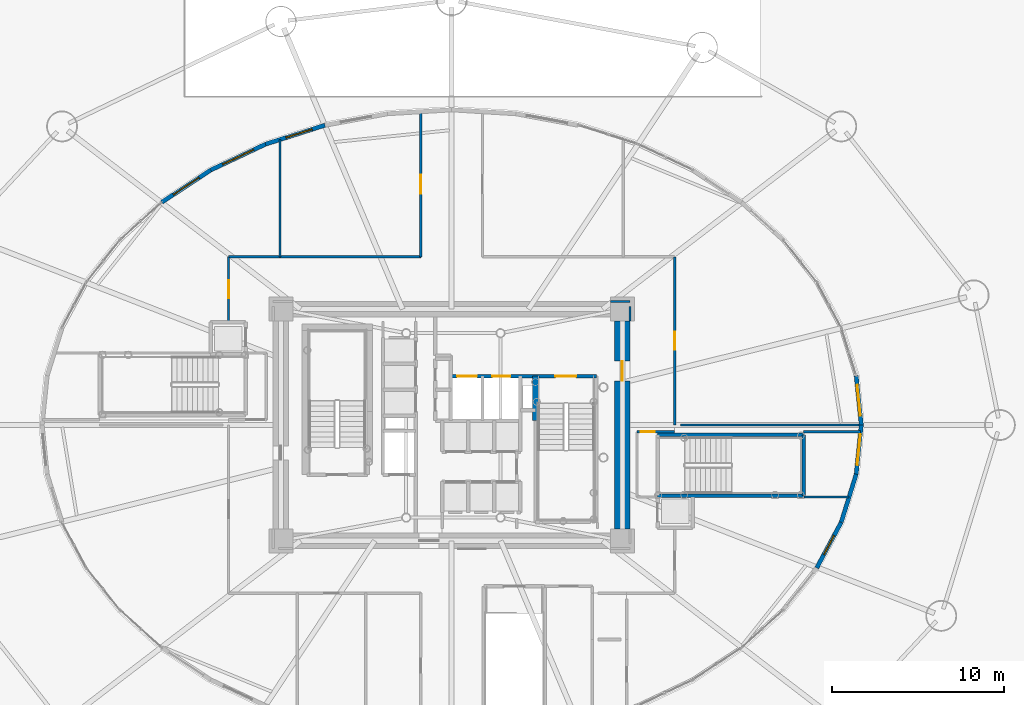
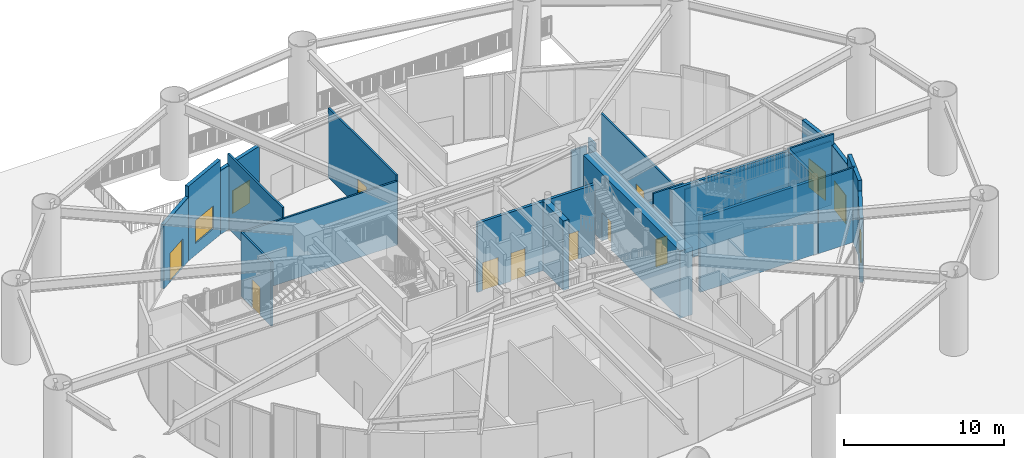
# One storey, part 32 of 46: 24 walls, 11 doors, 3 windows, 14 openings.
"""IFC4 building model written with IfcOpenShell, lengths in metres."""

from ifc_helpers import new_model, si_unit, direction, frame, frame_2d, origin, origin_2d, place, context, subcontext, project, spatial, rectangle, extrude, source, transform, mapped, material, layer, layer_set, type_object, element, fill, save


model = new_model("IFC4")

# Units and contexts
model_context = context("Model", 3, precision=1e-05, world=origin(), true_north=direction((0.0, 1.0)))
body_context = subcontext(model_context, "Body", "Model", "MODEL_VIEW")
ifc_project = project(units=[si_unit("LENGTHUNIT", "METRE"), si_unit("AREAUNIT", "SQUARE_METRE"), si_unit("VOLUMEUNIT", "CUBIC_METRE"), si_unit("PLANEANGLEUNIT", "RADIAN"), si_unit("MASSUNIT", "GRAM", prefix="KILO")], contexts=[model_context])

# Site, building, storey
site_placement = place(None, origin())
site = spatial("IfcSite", under=ifc_project, at=site_placement, CompositionType="ELEMENT")
building_placement = place(site_placement, origin())
building = spatial("IfcBuilding", under=site, at=building_placement, Name="Linh Dai School and Residence Tower", CompositionType="ELEMENT")
storey_placement = place(building_placement, origin())
storey = spatial("IfcBuildingStorey", under=building, at=storey_placement, Name="L00", CompositionType="ELEMENT", Elevation=0.0)

# Wall, opening, door
ifc_material_1 = material(Name="Precast Concrete B45 (C35/45)", Category="concrete")
ifc_layer_1 = layer(ifc_material_1, 0.25)
ifc_layer_set_1 = layer_set([ifc_layer_1], Name="Precast Concrete B45 (C35/45)")
wall_type_1 = type_object("IfcWallType", Name="EW-TC-250", PredefinedType="SOLIDWALL", material=ifc_layer_set_1)
wall_1_placement = place(storey_placement, frame((59.58203125, 29.868896484375, 0.0), z_axis=(0.0, 0.0, 1.0), x_axis=(0.10159063445, -0.994826287847, 0.0)))
wall_1 = element("IfcWall", 1, at=wall_1_placement, inside=storey, type_object=wall_type_1, Name="L00 Terracotta Exterior Wall 01", PredefinedType="SOLIDWALL", context=body_context, shape_type="SweptSolid", body=[
    extrude(rectangle(XDim=2.8837890625, YDim=0.25, at=frame_2d((1.44189453125, 0.0))), origin(), (0.0, 0.0, 1.0), 4.885009765625),
])
opening_1_placement = place(wall_1_placement, frame((0.5419921875, 0.0, 0.0)))
opening_1 = element("IfcOpeningElement", 2, at=opening_1_placement, cuts=wall_1, Name="Opening ED-01", PredefinedType="OPENING", context=body_context, shape_type="SweptSolid", body=[
    extrude(rectangle(XDim=1.800048828125, YDim=2.199951171875, at=origin_2d()), frame((0.89990234375, 0.135009765625, 1.10009765625), z_axis=(0.0, -1.0, 0.0), x_axis=(1.0, 0.0, 0.0)), (0.0, 0.0, 1.0), 0.27001953125),
])
ifc_material_2 = material(Name="Glazed Aluminium Exit Door", Category="aluminium")
door_type_1 = type_object("IfcDoorType", Name="DR-EXIT-1800x2200", OperationType="NOTDEFINED", PredefinedType="DOOR", material=ifc_material_2)
shared_shape_1 = source(origin(), body_context, "Body", "SweptSolid", [
    extrude(rectangle(XDim=1.800048828125, YDim=2.199951171875, at=origin_2d()), frame((0.89990234375, 0.02490234375, 1.10009765625), z_axis=(0.0, -1.0, 0.0), x_axis=(1.0, 0.0, 0.0)), (0.0, 0.0, 1.0), 0.050048828125),
])
door_1_placement = place(opening_1_placement, origin())
door_1 = element("IfcDoor", 3, at=door_1_placement, inside=storey, type_object=door_type_1, Name="Final Exit Door ED-01 (North-East Lobby Exit)", OperationType="SINGLE_SWING_LEFT", OverallHeight=2.199951171875, OverallWidth=1.800048828125, PredefinedType="DOOR", context=body_context, shape_type="MappedRepresentation", body=[
    mapped(shared_shape_1, transform((0.0, 0.0, 0.0), x_axis=(1.0, 0.0, 0.0), y_axis=(0.0, 1.0, 0.0), z_axis=(0.0, 0.0, 1.0), scale=1.0)),
])
fill(opening_1, door_1)

# Wall, opening, window
wall_2_placement = place(storey_placement, frame((25.14990234375, 43.3671875, 0.0), z_axis=(0.0, 0.0, 1.0), x_axis=(0.952608721119, 0.304198330777, 0.0)))
wall_2 = element("IfcWall", 4, at=wall_2_placement, inside=storey, type_object=wall_type_1, Name="L00 Terracotta Exterior Wall 13", PredefinedType="SOLIDWALL", context=body_context, shape_type="SweptSolid", body=[
    extrude(rectangle(XDim=3.636474609375, YDim=0.25, at=frame_2d((1.818359375, 0.0))), origin(), (0.0, 0.0, 1.0), 4.885009765625),
])
opening_2_placement = place(wall_2_placement, frame((1.25048828125, 0.0, 0.89990234375)))
opening_2 = element("IfcOpeningElement", 5, at=opening_2_placement, cuts=wall_2, Name="Opening W2", PredefinedType="OPENING", context=body_context, shape_type="SweptSolid", body=[
    extrude(rectangle(XDim=1.60009765625, YDim=1.75, at=origin_2d()), frame((0.800048828125, 0.135009765625, 0.875), z_axis=(0.0, -1.0, 0.0), x_axis=(1.0, 0.0, 0.0)), (0.0, 0.0, 1.0), 0.27001953125),
])
ifc_material_3 = material(Name="Double Low-E Insulated Glazing", Category="glass")
window_type_1 = type_object("IfcWindowType", Name="WN-RES-1600x1750", PartitioningType="DOUBLE_PANEL_VERTICAL", PredefinedType="WINDOW", material=ifc_material_3)
shared_shape_2 = source(origin(), body_context, "Body", "SweptSolid", [
    extrude(rectangle(XDim=1.60009765625, YDim=1.75, at=origin_2d()), frame((0.800048828125, 0.030029296875, 0.875), z_axis=(0.0, -1.0, 0.0), x_axis=(1.0, 0.0, 0.0)), (0.0, 0.0, 1.0), 0.06005859375),
])
window_1_placement = place(opening_2_placement, origin())
window_1 = element("IfcWindow", 6, at=window_1_placement, inside=storey, type_object=window_type_1, Name="L00 Exterior Window 13.1", OverallHeight=1.75, OverallWidth=1.60009765625, PartitioningType="DOUBLE_PANEL_VERTICAL", PredefinedType="WINDOW", context=body_context, shape_type="MappedRepresentation", body=[
    mapped(shared_shape_2, transform((0.0, 0.0, 0.0), x_axis=(1.0, 0.0, 0.0), y_axis=(0.0, 1.0, 0.0), z_axis=(0.0, 0.0, 1.0), scale=1.0)),
])
fill(opening_2, window_1)

wall_3_placement = place(storey_placement, frame((21.954345703125, 41.857666015625, 0.0), z_axis=(0.0, 0.0, 1.0), x_axis=(0.9041930697, 0.427123978146, 0.0)))
wall_3 = element("IfcWall", 7, at=wall_3_placement, inside=storey, type_object=wall_type_1, Name="L00 Terracotta Exterior Wall 14", PredefinedType="SOLIDWALL", context=body_context, shape_type="SweptSolid", body=[
    extrude(rectangle(XDim=3.5341796875, YDim=0.25, at=frame_2d((1.76708984375, 0.0))), origin(), (0.0, 0.0, 1.0), 5.699951171875),
])
opening_3_placement = place(wall_3_placement, frame((0.767333984375, 0.0, 0.89990234375)))
opening_3 = element("IfcOpeningElement", 8, at=opening_3_placement, cuts=wall_3, Name="Opening W1", PredefinedType="OPENING", context=body_context, shape_type="SweptSolid", body=[
    extrude(rectangle(XDim=2.0, YDim=1.75, at=origin_2d()), frame((1.0, 0.135009765625, 0.875), z_axis=(0.0, -1.0, 0.0), x_axis=(1.0, 0.0, 0.0)), (0.0, 0.0, 1.0), 0.27001953125),
])
window_type_2 = type_object("IfcWindowType", Name="WN-RES-2000x1750", PartitioningType="DOUBLE_PANEL_VERTICAL", PredefinedType="WINDOW", material=ifc_material_3)
shared_shape_3 = source(origin(), body_context, "Body", "SweptSolid", [
    extrude(rectangle(XDim=2.0, YDim=1.75, at=origin_2d()), frame((1.0, 0.030029296875, 0.875), z_axis=(0.0, -1.0, 0.0), x_axis=(1.0, 0.0, 0.0)), (0.0, 0.0, 1.0), 0.06005859375),
])
window_2_placement = place(opening_3_placement, origin())
window_2 = element("IfcWindow", 9, at=window_2_placement, inside=storey, type_object=window_type_2, Name="L00 Exterior Window 14.1", OverallHeight=1.75, OverallWidth=2.0, PartitioningType="DOUBLE_PANEL_VERTICAL", PredefinedType="WINDOW", context=body_context, shape_type="MappedRepresentation", body=[
    mapped(shared_shape_3, transform((0.0, 0.0, 0.0), x_axis=(1.0, 0.0, 0.0), y_axis=(0.0, 1.0, 0.0), z_axis=(0.0, 0.0, 1.0), scale=1.0)),
])
fill(opening_3, window_2)

# Wall, opening, door
wall_4_placement = place(storey_placement, frame((19.105712890625, 39.982421875, 0.0), z_axis=(0.0, 0.0, 1.0), x_axis=(0.835263082911, 0.549850509071, 0.0)))
wall_4 = element("IfcWall", 10, at=wall_4_placement, inside=storey, type_object=wall_type_1, Name="L00 Terracotta Exterior Wall 15", PredefinedType="SOLIDWALL", context=body_context, shape_type="SweptSolid", body=[
    extrude(rectangle(XDim=3.410400390625, YDim=0.25, at=frame_2d((1.705078125, 0.0))), origin(), (0.0, 0.0, 1.0), 4.885009765625),
])
opening_4_placement = place(wall_4_placement, frame((0.80517578125, 0.0, 0.0)))
opening_4 = element("IfcOpeningElement", 11, at=opening_4_placement, cuts=wall_4, Name="Opening ED-03", PredefinedType="OPENING", context=body_context, shape_type="SweptSolid", body=[
    extrude(rectangle(XDim=1.800048828125, YDim=2.199951171875, at=origin_2d()), frame((0.89990234375, 0.135009765625, 1.10009765625), z_axis=(0.0, -1.0, 0.0), x_axis=(1.0, 0.0, 0.0)), (0.0, 0.0, 1.0), 0.27001953125),
])
door_2_placement = place(opening_4_placement, origin())
door_2 = element("IfcDoor", 12, at=door_2_placement, inside=storey, type_object=door_type_1, Name="Final Exit Door ED-03 (School North-West Foyer Exit)", OperationType="SINGLE_SWING_LEFT", OverallHeight=2.199951171875, OverallWidth=1.800048828125, PredefinedType="DOOR", context=body_context, shape_type="MappedRepresentation", body=[
    mapped(shared_shape_1, transform((0.0, 0.0, 0.0), x_axis=(1.0, 0.0, 0.0), y_axis=(0.0, 1.0, 0.0), z_axis=(0.0, 0.0, 1.0), scale=1.0)),
])
fill(opening_4, door_2)

# Wall, opening, window
wall_5_placement = place(storey_placement, frame((58.710205078125, 21.331787109375, 0.0), z_axis=(0.0, 0.0, 1.0), x_axis=(-0.473391396038, -0.880852193139, 0.0)))
wall_5 = element("IfcWall", 13, at=wall_5_placement, inside=storey, type_object=wall_type_1, Name="L00 Terracotta Exterior Wall 38", PredefinedType="SOLIDWALL", context=body_context, shape_type="SweptSolid", body=[
    extrude(rectangle(XDim=3.021728515625, YDim=0.25, at=frame_2d((1.5107421875, 0.0))), origin(), (0.0, 0.0, 1.0), 4.885009765625),
])
opening_5_placement = place(wall_5_placement, frame((0.885986328125, 0.0, 0.89990234375)))
opening_5 = element("IfcOpeningElement", 14, at=opening_5_placement, cuts=wall_5, Name="Opening W3", PredefinedType="OPENING", context=body_context, shape_type="SweptSolid", body=[
    extrude(rectangle(XDim=1.25, YDim=1.64990234375, at=origin_2d()), frame((0.625, 0.135009765625, 0.824951171875), z_axis=(0.0, -1.0, 0.0), x_axis=(1.0, 0.0, 0.0)), (0.0, 0.0, 1.0), 0.27001953125),
])
window_type_3 = type_object("IfcWindowType", Name="WN-RES-1250x1650", PartitioningType="SINGLE_PANEL", PredefinedType="WINDOW", material=ifc_material_3)
shared_shape_4 = source(origin(), body_context, "Body", "SweptSolid", [
    extrude(rectangle(XDim=1.25, YDim=1.64990234375, at=origin_2d()), frame((0.625, 0.030029296875, 0.824951171875), z_axis=(0.0, -1.0, 0.0), x_axis=(1.0, 0.0, 0.0)), (0.0, 0.0, 1.0), 0.06005859375),
])
window_3_placement = place(opening_5_placement, origin())
window_3 = element("IfcWindow", 15, at=window_3_placement, inside=storey, type_object=window_type_3, Name="L00 Exterior Window 38.1", OverallHeight=1.64990234375, OverallWidth=1.25, PartitioningType="SINGLE_PANEL", PredefinedType="WINDOW", context=body_context, shape_type="MappedRepresentation", body=[
    mapped(shared_shape_4, transform((0.0, 0.0, 0.0), x_axis=(1.0, 0.0, 0.0), y_axis=(0.0, 1.0, 0.0), z_axis=(0.0, 0.0, 1.0), scale=1.0)),
])
fill(opening_5, window_3)

# Wall
wall_6_placement = place(storey_placement, frame((59.58203125, 24.131103515625, 0.0), z_axis=(0.0, 0.0, 1.0), x_axis=(-0.297355038878, -0.954766977254, 0.0)))
element("IfcWall", 16, at=wall_6_placement, inside=storey, type_object=wall_type_1, Name="L00 Terracotta Exterior Wall 39", PredefinedType="SOLIDWALL", context=body_context, shape_type="SweptSolid", body=[
    extrude(rectangle(XDim=2.931884765625, YDim=0.25, at=frame_2d((1.4658203125, 0.0))), origin(), (0.0, 0.0, 1.0), 5.699951171875),
])

# Wall, opening, door
wall_7_placement = place(storey_placement, frame((59.875, 27.0, 0.0), z_axis=(0.0, 0.0, 1.0), x_axis=(-0.10159063445, -0.994826287847, 0.0)))
wall_7 = element("IfcWall", 17, at=wall_7_placement, inside=storey, type_object=wall_type_1, Name="L00 Terracotta Exterior Wall 40", PredefinedType="SOLIDWALL", context=body_context, shape_type="SweptSolid", body=[
    extrude(rectangle(XDim=2.8837890625, YDim=0.25, at=frame_2d((1.44189453125, 0.0))), origin(), (0.0, 0.0, 1.0), 4.885009765625),
])
opening_6_placement = place(wall_7_placement, frame((0.5419921875, 0.0, 0.0)))
opening_6 = element("IfcOpeningElement", 18, at=opening_6_placement, cuts=wall_7, Name="Opening ED-05", PredefinedType="OPENING", context=body_context, shape_type="SweptSolid", body=[
    extrude(rectangle(XDim=1.800048828125, YDim=2.199951171875, at=origin_2d()), frame((0.89990234375, 0.135009765625, 1.10009765625), z_axis=(0.0, -1.0, 0.0), x_axis=(1.0, 0.0, 0.0)), (0.0, 0.0, 1.0), 0.27001953125),
])
door_3_placement = place(opening_6_placement, origin())
door_3 = element("IfcDoor", 19, at=door_3_placement, inside=storey, type_object=door_type_1, Name="Final Exit Door ED-05 (Protected Stair STS2 East Exit)", OperationType="SINGLE_SWING_LEFT", OverallHeight=2.199951171875, OverallWidth=1.800048828125, PredefinedType="DOOR", context=body_context, shape_type="MappedRepresentation", body=[
    mapped(shared_shape_1, transform((0.0, 0.0, 0.0), x_axis=(1.0, 0.0, 0.0), y_axis=(0.0, 1.0, 0.0), z_axis=(0.0, 0.0, 1.0), scale=1.0)),
])
fill(opening_6, door_3)

ifc_material_4 = material(Name="Autoclaved Aerated Concrete Blockwork", Category="masonry")
ifc_layer_2 = layer(ifc_material_4, 0.135009765625)
ifc_layer_set_2 = layer_set([ifc_layer_2], Name="Autoclaved Aerated Concrete Blockwork")
wall_type_2 = type_object("IfcWallType", Name="IW-CORR-135-EI90", PredefinedType="PARTITIONING", material=ifc_layer_set_2)
wall_8_placement = place(storey_placement, frame((23.0, 33.0, 0.0), z_axis=(0.0, 0.0, 1.0), x_axis=(0.0, 1.0, 0.0)))
wall_8 = element("IfcWall", 20, at=wall_8_placement, inside=storey, type_object=wall_type_2, Name="L00 Interior Partition Wall 010", PredefinedType="PARTITIONING", context=body_context, shape_type="SweptSolid", body=[
    extrude(rectangle(XDim=3.800048828125, YDim=0.135009765625, at=frame_2d((1.89990234375, 0.0))), origin(), (0.0, 0.0, 1.0), 4.885009765625),
])
opening_7_placement = place(wall_8_placement, frame((1.375, 0.0, 0.0)))
opening_7 = element("IfcOpeningElement", 21, at=opening_7_placement, cuts=wall_8, Name="Opening D04", PredefinedType="OPENING", context=body_context, shape_type="SweptSolid", body=[
    extrude(rectangle(XDim=1.050048828125, YDim=2.14990234375, at=origin_2d()), frame((0.52490234375, 0.07763671875, 1.074951171875), z_axis=(0.0, -1.0, 0.0), x_axis=(1.0, 0.0, 0.0)), (0.0, 0.0, 1.0), 0.155029296875),
])
ifc_material_5 = material(Name="Acoustic Vision-Panel Timber Classroom Door", Category="wood")
door_type_2 = type_object("IfcDoorType", Name="DR-SCH-1050x2150-FD60S", OperationType="NOTDEFINED", PredefinedType="DOOR", material=ifc_material_5)
shared_shape_5 = source(origin(), body_context, "Body", "SweptSolid", [
    extrude(rectangle(XDim=1.050048828125, YDim=2.14990234375, at=origin_2d()), frame((0.52490234375, 0.02490234375, 1.074951171875), z_axis=(0.0, -1.0, 0.0), x_axis=(1.0, 0.0, 0.0)), (0.0, 0.0, 1.0), 0.050048828125),
])
door_4_placement = place(opening_7_placement, origin())
door_4 = element("IfcDoor", 22, at=door_4_placement, inside=storey, type_object=door_type_2, Name="L00 Vertical School Dedicated Entrance Foyer Door", OperationType="SINGLE_SWING_RIGHT", OverallHeight=2.14990234375, OverallWidth=1.050048828125, PredefinedType="DOOR", context=body_context, shape_type="MappedRepresentation", body=[
    mapped(shared_shape_5, transform((0.0, 0.0, 0.0), x_axis=(1.0, 0.0, 0.0), y_axis=(0.0, 1.0, 0.0), z_axis=(0.0, 0.0, 1.0), scale=1.0)),
])
fill(opening_7, door_4)

# Walls
wall_9_placement = place(storey_placement, frame((23.0, 36.800048828125, 0.0), z_axis=(0.0, 0.0, 1.0), x_axis=(1.0, 0.0, 0.0)))
element("IfcWall", 23, at=wall_9_placement, inside=storey, type_object=wall_type_2, Name="L00 Interior Partition Wall 011", PredefinedType="PARTITIONING", context=body_context, shape_type="SweptSolid", body=[
    extrude(rectangle(XDim=11.199951171875, YDim=0.135009765625, at=frame_2d((5.60009765625, 0.0))), origin(), (0.0, 0.0, 1.0), 4.885009765625),
])
wall_10_placement = place(storey_placement, frame((26.0, 36.800048828125, 0.0), z_axis=(0.0, 0.0, 1.0), x_axis=(0.0, 1.0, 0.0)))
element("IfcWall", 24, at=wall_10_placement, inside=storey, type_object=wall_type_2, Name="L00 Interior Partition Wall 016", PredefinedType="PARTITIONING", context=body_context, shape_type="SweptSolid", body=[
    extrude(rectangle(XDim=6.843994140625, YDim=0.135009765625, at=frame_2d((3.421875, 0.0))), origin(), (0.0, 0.0, 1.0), 5.699951171875),
])

# Wall, opening, door
wall_11_placement = place(storey_placement, frame((34.199951171875, 36.800048828125, 0.0), z_axis=(0.0, 0.0, 1.0), x_axis=(0.0, 1.0, 0.0)))
wall_11 = element("IfcWall", 25, at=wall_11_placement, inside=storey, type_object=wall_type_2, Name="L00 Interior Partition Wall 029", PredefinedType="PARTITIONING", context=body_context, shape_type="SweptSolid", body=[
    extrude(rectangle(XDim=8.470703125, YDim=0.135009765625, at=frame_2d((4.2353515625, 0.0))), origin(), (0.0, 0.0, 1.0), 5.324951171875),
])
opening_8_placement = place(wall_11_placement, frame((3.685302734375, 0.0, 0.0)))
opening_8 = element("IfcOpeningElement", 26, at=opening_8_placement, cuts=wall_11, Name="Opening D07", PredefinedType="OPENING", context=body_context, shape_type="SweptSolid", body=[
    extrude(rectangle(XDim=1.10009765625, YDim=2.14990234375, at=origin_2d()), frame((0.550048828125, 0.07763671875, 1.074951171875), z_axis=(0.0, -1.0, 0.0), x_axis=(1.0, 0.0, 0.0)), (0.0, 0.0, 1.0), 0.155029296875),
])
ifc_material_6 = material(Name="Fire-Rated Louvred Steel Plant Door", Category="steel")
door_type_3 = type_object("IfcDoorType", Name="DR-PLT-1100x2150-FD60S", OperationType="NOTDEFINED", PredefinedType="DOOR", material=ifc_material_6)
shared_shape_6 = source(origin(), body_context, "Body", "SweptSolid", [
    extrude(rectangle(XDim=1.10009765625, YDim=2.14990234375, at=origin_2d()), frame((0.550048828125, 0.02490234375, 1.074951171875), z_axis=(0.0, -1.0, 0.0), x_axis=(1.0, 0.0, 0.0)), (0.0, 0.0, 1.0), 0.050048828125),
])
door_5_placement = place(opening_8_placement, origin())
door_5 = element("IfcDoor", 27, at=door_5_placement, inside=storey, type_object=door_type_3, Name="L00 Resident Mail and Parcel Room Door", OperationType="SINGLE_SWING_LEFT", OverallHeight=2.14990234375, OverallWidth=1.10009765625, PredefinedType="DOOR", context=body_context, shape_type="MappedRepresentation", body=[
    mapped(shared_shape_6, transform((0.0, 0.0, 0.0), x_axis=(1.0, 0.0, 0.0), y_axis=(0.0, 1.0, 0.0), z_axis=(0.0, 0.0, 1.0), scale=1.0)),
])
fill(opening_8, door_5)

wall_12_placement = place(storey_placement, frame((46.800048828125, 26.60009765625, 0.0), z_axis=(0.0, 0.0, 1.0), x_axis=(1.0, 0.0, 0.0)))
wall_12 = element("IfcWall", 28, at=wall_12_placement, inside=storey, type_object=wall_type_2, Name="L00 Interior Partition Wall 070", PredefinedType="PARTITIONING", context=body_context, shape_type="SweptSolid", body=[
    extrude(rectangle(XDim=2.199951171875, YDim=0.135009765625, at=frame_2d((1.10009765625, 0.0))), origin(), (0.0, 0.0, 1.0), 5.699951171875),
])
opening_9_placement = place(wall_12_placement, frame((0.211181640625, 0.0, 0.0)))
opening_9 = element("IfcOpeningElement", 29, at=opening_9_placement, cuts=wall_12, Name="Opening D06", PredefinedType="OPENING", context=body_context, shape_type="SweptSolid", body=[
    extrude(rectangle(XDim=0.820068359375, YDim=2.10009765625, at=origin_2d()), frame((0.41015625, 0.07763671875, 1.050048828125), z_axis=(0.0, -1.0, 0.0), x_axis=(1.0, 0.0, 0.0)), (0.0, 0.0, 1.0), 0.155029296875),
])
ifc_material_7 = material(Name="Moisture-Resistant Timber Bathroom Door", Category="wood")
door_type_4 = type_object("IfcDoorType", Name="DR-WET-820x2100", OperationType="NOTDEFINED", PredefinedType="DOOR", material=ifc_material_7)
shared_shape_7 = source(origin(), body_context, "Body", "SweptSolid", [
    extrude(rectangle(XDim=0.820068359375, YDim=2.10009765625, at=origin_2d()), frame((0.41015625, 0.02490234375, 1.050048828125), z_axis=(0.0, -1.0, 0.0), x_axis=(1.0, 0.0, 0.0)), (0.0, 0.0, 1.0), 0.050048828125),
])
door_6_placement = place(opening_9_placement, origin())
door_6 = element("IfcDoor", 30, at=door_6_placement, inside=storey, type_object=door_type_4, Name="L00 Protected Exit Stair STS2 Discharge Passage East Door", OperationType="SINGLE_SWING_RIGHT", OverallHeight=2.10009765625, OverallWidth=0.820068359375, PredefinedType="DOOR", context=body_context, shape_type="MappedRepresentation", body=[
    mapped(shared_shape_7, transform((0.0, 0.0, 0.0), x_axis=(1.0, 0.0, 0.0), y_axis=(0.0, 1.0, 0.0), z_axis=(0.0, 0.0, 1.0), scale=1.0)),
])
fill(opening_9, door_6)

wall_13_placement = place(storey_placement, frame((49.0, 27.0, 0.0), z_axis=(0.0, 0.0, 1.0), x_axis=(0.0, 1.0, 0.0)))
wall_13 = element("IfcWall", 31, at=wall_13_placement, inside=storey, type_object=wall_type_2, Name="L00 Interior Partition Wall 077", PredefinedType="PARTITIONING", context=body_context, shape_type="SweptSolid", body=[
    extrude(rectangle(XDim=9.800048828125, YDim=0.135009765625, at=frame_2d((4.89990234375, 0.0))), origin(), (0.0, 0.0, 1.0), 4.885009765625),
])
opening_10_placement = place(wall_13_placement, frame((4.375, 0.0, 0.0)))
opening_10 = element("IfcOpeningElement", 32, at=opening_10_placement, cuts=wall_13, Name="Opening D04", PredefinedType="OPENING", context=body_context, shape_type="SweptSolid", body=[
    extrude(rectangle(XDim=1.050048828125, YDim=2.14990234375, at=origin_2d()), frame((0.52490234375, 0.07763671875, 1.074951171875), z_axis=(0.0, -1.0, 0.0), x_axis=(1.0, 0.0, 0.0)), (0.0, 0.0, 1.0), 0.155029296875),
])
door_7_placement = place(opening_10_placement, origin())
door_7 = element("IfcDoor", 33, at=door_7_placement, inside=storey, type_object=door_type_2, Name="L00 Residential Tower Concierge Reception Hall Door", OperationType="SINGLE_SWING_LEFT", OverallHeight=2.14990234375, OverallWidth=1.050048828125, PredefinedType="DOOR", context=body_context, shape_type="MappedRepresentation", body=[
    mapped(shared_shape_5, transform((0.0, 0.0, 0.0), x_axis=(1.0, 0.0, 0.0), y_axis=(0.0, 1.0, 0.0), z_axis=(0.0, 0.0, 1.0), scale=1.0)),
])
fill(opening_10, door_7)

# Walls
wall_14_placement = place(storey_placement, frame((56.530029296875, 22.800048828125, 0.0), z_axis=(0.0, 0.0, 1.0), x_axis=(1.0, 0.0, 0.0)))
element("IfcWall", 34, at=wall_14_placement, inside=storey, type_object=wall_type_2, Name="L00 Interior Partition Wall 079", PredefinedType="PARTITIONING", context=body_context, shape_type="SweptSolid", body=[
    extrude(rectangle(XDim=2.642578125, YDim=0.135009765625, at=frame_2d((1.3212890625, 0.0))), origin(), (0.0, 0.0, 1.0), 5.699951171875),
])
wall_15_placement = place(storey_placement, frame((56.52001953125, 26.60009765625, 0.0), z_axis=(0.0, 0.0, 1.0), x_axis=(1.0, 0.0, 0.0)))
element("IfcWall", 35, at=wall_15_placement, inside=storey, type_object=wall_type_2, Name="L00 Interior Partition Wall 092", PredefinedType="PARTITIONING", context=body_context, shape_type="SweptSolid", body=[
    extrude(rectangle(XDim=3.319091796875, YDim=0.135009765625, at=frame_2d((1.65966796875, 0.0))), origin(), (0.0, 0.0, 1.0), 5.699951171875),
])
wall_16_placement = place(storey_placement, frame((46.39990234375, 34.199951171875, 0.0), z_axis=(0.0, 0.0, 1.0), x_axis=(-1.0, 0.0, 0.0)))
element("IfcWall", 36, at=wall_16_placement, inside=storey, type_object=wall_type_2, Name="L00 Interior Partition Wall 095", PredefinedType="PARTITIONING", context=body_context, shape_type="SweptSolid", body=[
    extrude(rectangle(XDim=1.139892578125, YDim=0.135009765625, at=frame_2d((0.56982421875, 0.0))), origin(), (0.0, 0.0, 1.0), 4.885009765625),
])
wall_17_placement = place(storey_placement, frame((46.39990234375, 33.06005859375, 0.0), z_axis=(0.0, 0.0, 1.0), x_axis=(0.0, 1.0, 0.0)))
element("IfcWall", 37, at=wall_17_placement, inside=storey, type_object=wall_type_2, Name="L00 Interior Partition Wall 102", PredefinedType="PARTITIONING", context=body_context, shape_type="SweptSolid", body=[
    extrude(rectangle(XDim=0.83251953125, YDim=0.135009765625, at=frame_2d((0.416259765625, 0.0))), origin(), (0.0, 0.0, 1.0), 5.699951171875),
])
wall_18_placement = place(storey_placement, frame((59.8798828125, 27.0, 0.0), z_axis=(0.0, 0.0, 1.0), x_axis=(-1.0, 0.0, 0.0)))
element("IfcWall", 38, at=wall_18_placement, inside=storey, type_object=wall_type_2, Name="L00 Interior Partition Wall 103", PredefinedType="PARTITIONING", context=body_context, shape_type="SweptSolid", body=[
    extrude(rectangle(XDim=10.552490234375, YDim=0.135009765625, at=frame_2d((5.2763671875, 0.0))), origin(), (0.0, 0.0, 1.0), 4.885009765625),
])

# Wall, openings, doors
ifc_material_8 = material(Name="Concrete B45 (C35/45)", Category="concrete")
ifc_layer_3 = layer(ifc_material_8, 0.199951171875)
ifc_layer_set_3 = layer_set([ifc_layer_3], Name="Concrete B45 (C35/45)")
wall_type_3 = type_object("IfcWallType", Name="IW-SHAFT-200-EI120", PredefinedType="PARTITIONING", material=ifc_layer_set_3)
wall_19_placement = place(storey_placement, frame((35.949951171875, 29.85009765625, 0.0), z_axis=(0.0, 0.0, 1.0), x_axis=(1.0, 0.0, 0.0)))
wall_19 = element("IfcWall", 39, at=wall_19_placement, inside=storey, type_object=wall_type_3, Name="L00 Interior Partition Wall 041", PredefinedType="PARTITIONING", context=body_context, shape_type="SweptSolid", body=[
    extrude(rectangle(XDim=8.489990234375, YDim=0.199951171875, at=frame_2d((4.2451171875, 0.0))), origin(), (0.0, 0.0, 1.0), 5.284912109375),
])
opening_11_placement = place(wall_19_placement, frame((6.10009765625, 0.0, 0.0)))
opening_11 = element("IfcOpeningElement", 40, at=opening_11_placement, cuts=wall_19, Name="Opening D01", PredefinedType="OPENING", context=body_context, shape_type="SweptSolid", body=[
    extrude(rectangle(XDim=1.199951171875, YDim=2.14990234375, at=origin_2d()), frame((0.60009765625, 0.10986328125, 1.074951171875), z_axis=(0.0, -1.0, 0.0), x_axis=(1.0, 0.0, 0.0)), (0.0, 0.0, 1.0), 0.219970703125),
])
opening_12_placement = place(wall_19_placement, frame((0.3701171875, 0.0, 0.0)))
opening_12 = element("IfcOpeningElement", 41, at=opening_12_placement, cuts=wall_19, Name="Opening LD-FF1", PredefinedType="OPENING", context=body_context, shape_type="SweptSolid", body=[
    extrude(rectangle(XDim=1.14990234375, YDim=2.14990234375, at=origin_2d()), frame((0.574951171875, 0.10986328125, 1.074951171875), z_axis=(0.0, -1.0, 0.0), x_axis=(1.0, 0.0, 0.0)), (0.0, 0.0, 1.0), 0.219970703125),
])
opening_13_placement = place(wall_19_placement, frame((2.425048828125, 0.0, 0.0)))
opening_13 = element("IfcOpeningElement", 42, at=opening_13_placement, cuts=wall_19, Name="Opening LD-SV1", PredefinedType="OPENING", context=body_context, shape_type="SweptSolid", body=[
    extrude(rectangle(XDim=1.050048828125, YDim=2.14990234375, at=origin_2d()), frame((0.52490234375, 0.10986328125, 1.074951171875), z_axis=(0.0, -1.0, 0.0), x_axis=(1.0, 0.0, 0.0)), (0.0, 0.0, 1.0), 0.219970703125),
])
ifc_material_9 = material(Name="Fire-Rated Steel Door Leaf", Category="steel")
door_type_5 = type_object("IfcDoorType", Name="DR-STAIR-1200x2150-FD90S", OperationType="NOTDEFINED", PredefinedType="DOOR", material=ifc_material_9)
shared_shape_8 = source(origin(), body_context, "Body", "SweptSolid", [
    extrude(rectangle(XDim=1.199951171875, YDim=2.14990234375, at=origin_2d()), frame((0.60009765625, 0.02490234375, 1.074951171875), z_axis=(0.0, -1.0, 0.0), x_axis=(1.0, 0.0, 0.0)), (0.0, 0.0, 1.0), 0.050048828125),
])
door_8_placement = place(opening_11_placement, origin())
door_8 = element("IfcDoor", 43, at=door_8_placement, inside=storey, type_object=door_type_5, Name="L00 Core Smokeproof Exit Stair ST2 Door", OperationType="SINGLE_SWING_RIGHT", OverallHeight=2.14990234375, OverallWidth=1.199951171875, PredefinedType="DOOR", context=body_context, shape_type="MappedRepresentation", body=[
    mapped(shared_shape_8, transform((0.0, 0.0, 0.0), x_axis=(1.0, 0.0, 0.0), y_axis=(0.0, 1.0, 0.0), z_axis=(0.0, 0.0, 1.0), scale=1.0)),
])
fill(opening_11, door_8)
ifc_material_10 = material(Name="Fire-Rated Stainless Steel Firefighting Lift Door", Category="steel")
door_type_6 = type_object("IfcDoorType", Name="DR-LD-FF-1150x2150-FD120", OperationType="DOUBLE_DOOR_SLIDING", PredefinedType="USERDEFINED", material=ifc_material_10)
shared_shape_9 = source(origin(), body_context, "Body", "SweptSolid", [
    extrude(rectangle(XDim=1.14990234375, YDim=2.14990234375, at=origin_2d()), frame((0.574951171875, 0.02490234375, 1.074951171875), z_axis=(0.0, -1.0, 0.0), x_axis=(1.0, 0.0, 0.0)), (0.0, 0.0, 1.0), 0.050048828125),
])
door_9_placement = place(opening_12_placement, origin())
door_9 = element("IfcDoor", 44, at=door_9_placement, inside=storey, type_object=door_type_6, Name="L00 Lift FF1 Sliding Landing Door", ObjectType="LANDING DOOR", OperationType="DOUBLE_DOOR_SLIDING", OverallHeight=2.14990234375, OverallWidth=1.14990234375, PredefinedType="USERDEFINED", context=body_context, shape_type="MappedRepresentation", body=[
    mapped(shared_shape_9, transform((0.0, 0.0, 0.0), x_axis=(1.0, 0.0, 0.0), y_axis=(0.0, 1.0, 0.0), z_axis=(0.0, 0.0, 1.0), scale=1.0)),
])
fill(opening_12, door_9)
ifc_material_11 = material(Name="Brushed Stainless Steel Lift Landing Door", Category="steel")
door_type_7 = type_object("IfcDoorType", Name="DR-LD-PASS-1050x2150", OperationType="DOUBLE_DOOR_SLIDING", PredefinedType="USERDEFINED", material=ifc_material_11)
shared_shape_10 = source(origin(), body_context, "Body", "SweptSolid", [
    extrude(rectangle(XDim=1.050048828125, YDim=2.14990234375, at=origin_2d()), frame((0.52490234375, 0.02490234375, 1.074951171875), z_axis=(0.0, -1.0, 0.0), x_axis=(1.0, 0.0, 0.0)), (0.0, 0.0, 1.0), 0.050048828125),
])
door_10_placement = place(opening_13_placement, origin())
door_10 = element("IfcDoor", 45, at=door_10_placement, inside=storey, type_object=door_type_7, Name="L00 Lift SV1 Sliding Landing Door", ObjectType="LANDING DOOR", OperationType="DOUBLE_DOOR_SLIDING", OverallHeight=2.14990234375, OverallWidth=1.050048828125, PredefinedType="USERDEFINED", context=body_context, shape_type="MappedRepresentation", body=[
    mapped(shared_shape_10, transform((0.0, 0.0, 0.0), x_axis=(1.0, 0.0, 0.0), y_axis=(0.0, 1.0, 0.0), z_axis=(0.0, 0.0, 1.0), scale=1.0)),
])
fill(opening_13, door_10)

# Walls
wall_20_placement = place(storey_placement, frame((48.010009765625, 22.8798828125, 0.0), z_axis=(0.0, 0.0, 1.0), x_axis=(1.0, 0.0, 0.0)))
element("IfcWall", 46, at=wall_20_placement, inside=storey, type_object=wall_type_3, Name="L00 Interior Partition Wall 074", PredefinedType="PARTITIONING", context=body_context, shape_type="SweptSolid", body=[
    extrude(rectangle(XDim=8.510009765625, YDim=0.199951171875, at=frame_2d((4.2548828125, 0.0))), origin(), (0.0, 0.0, 1.0), 5.699951171875),
])
wall_21_placement = place(storey_placement, frame((48.0, 26.419921875, 0.0), z_axis=(0.0, 0.0, 1.0), x_axis=(1.0, 0.0, 0.0)))
element("IfcWall", 47, at=wall_21_placement, inside=storey, type_object=wall_type_3, Name="L00 Interior Partition Wall 075", PredefinedType="PARTITIONING", context=body_context, shape_type="SweptSolid", body=[
    extrude(rectangle(XDim=8.52001953125, YDim=0.199951171875, at=frame_2d((4.260009765625, 0.0))), origin(), (0.0, 0.0, 1.0), 5.699951171875),
])
wall_22_placement = place(storey_placement, frame((56.52001953125, 22.8798828125, 0.0), z_axis=(0.0, 0.0, 1.0), x_axis=(0.0, 1.0, 0.0)))
element("IfcWall", 48, at=wall_22_placement, inside=storey, type_object=wall_type_3, Name="L00 Interior Partition Wall 080", PredefinedType="PARTITIONING", context=body_context, shape_type="SweptSolid", body=[
    extrude(rectangle(XDim=3.5400390625, YDim=0.199951171875, at=frame_2d((1.77001953125, 0.0))), origin(), (0.0, 0.0, 1.0), 5.699951171875),
])
ifc_layer_4 = layer(ifc_material_8, 0.39990234375)
ifc_layer_set_4 = layer_set([ifc_layer_4], Name="Concrete B45 (C35/45)")
wall_type_4 = type_object("IfcWallType", Name="WL-CORE400", PredefinedType="SHEAR", material=ifc_layer_set_4)
wall_23_placement = place(storey_placement, frame((40.89990234375, 27.25, 0.0), z_axis=(0.0, 0.0, 1.0), x_axis=(0.0, 1.0, 0.0)))
element("IfcWall", 49, at=wall_23_placement, inside=storey, type_object=wall_type_4, Name="L00 Internal Core Shear Wall IE", PredefinedType="SHEAR", context=body_context, shape_type="SweptSolid", body=[
    extrude(rectangle(XDim=2.60009765625, YDim=0.39990234375, at=frame_2d((1.300048828125, 0.0))), origin(), (0.0, 0.0, 1.0), 5.300048828125),
])

# Wall, opening, door
ifc_material_12 = material(Name="Concrete B60 (C50/60)", Category="concrete")
ifc_layer_5 = layer(ifc_material_12, 0.89990234375)
ifc_layer_set_5 = layer_set([ifc_layer_5], Name="Concrete B60 (C50/60)")
wall_type_5 = type_object("IfcWallType", Name="WL-CORE900", PredefinedType="SHEAR", material=ifc_layer_set_5)
wall_24_placement = place(storey_placement, frame((45.949951171875, 33.050048828125, 0.0), z_axis=(0.0, 0.0, 1.0), x_axis=(0.0, -1.0, 0.0)))
wall_24 = element("IfcWall", 50, at=wall_24_placement, inside=storey, type_object=wall_type_5, Name="L00 Central Core Shear Wall E", PredefinedType="SHEAR", context=body_context, shape_type="SweptSolid", body=[
    extrude(rectangle(XDim=12.10009765625, YDim=0.89990234375, at=frame_2d((6.050048828125, 0.0))), origin(), (0.0, 0.0, 1.0), 5.14990234375),
])
opening_14_placement = place(wall_24_placement, frame((2.327880859375, 0.0, 0.0)))
opening_14 = element("IfcOpeningElement", 51, at=opening_14_placement, cuts=wall_24, Name="Opening D02", PredefinedType="OPENING", context=body_context, shape_type="SweptSolid", body=[
    extrude(rectangle(XDim=1.14990234375, YDim=2.14990234375, at=origin_2d()), frame((0.574951171875, 0.4599609375, 1.074951171875), z_axis=(0.0, -1.0, 0.0), x_axis=(1.0, 0.0, 0.0)), (0.0, 0.0, 1.0), 0.919921875),
])
ifc_material_13 = material(Name="Fire-Rated Glazed Steel Lobby Door", Category="steel")
door_type_8 = type_object("IfcDoorType", Name="DR-LOBBY-1150x2150-FD90S", OperationType="NOTDEFINED", PredefinedType="DOOR", material=ifc_material_13)
shared_shape_11 = source(origin(), body_context, "Body", "SweptSolid", [
    extrude(rectangle(XDim=1.14990234375, YDim=2.14990234375, at=origin_2d()), frame((0.574951171875, 0.02490234375, 1.074951171875), z_axis=(0.0, -1.0, 0.0), x_axis=(1.0, 0.0, 0.0)), (0.0, 0.0, 1.0), 0.050048828125),
])
door_11_placement = place(opening_14_placement, origin())
door_11 = element("IfcDoor", 52, at=door_11_placement, inside=storey, type_object=door_type_8, Name="L00 Firefighting Lobby Door", OperationType="SINGLE_SWING_LEFT", OverallHeight=2.14990234375, OverallWidth=1.14990234375, PredefinedType="DOOR", context=body_context, shape_type="MappedRepresentation", body=[
    mapped(shared_shape_11, transform((0.0, 0.0, 0.0), x_axis=(1.0, 0.0, 0.0), y_axis=(0.0, 1.0, 0.0), z_axis=(0.0, 0.0, 1.0), scale=1.0)),
])
fill(opening_14, door_11)

save(model, "model.ifc")
